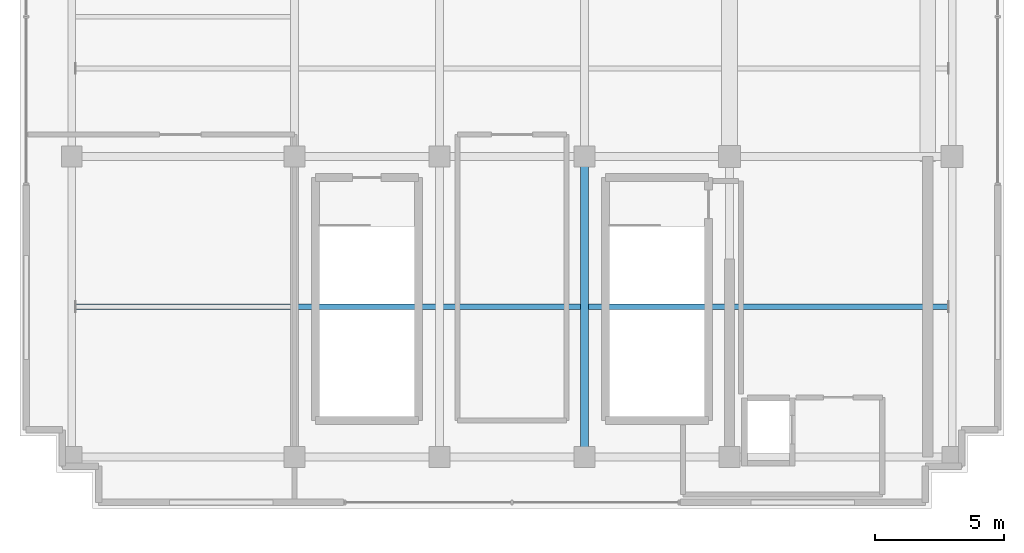
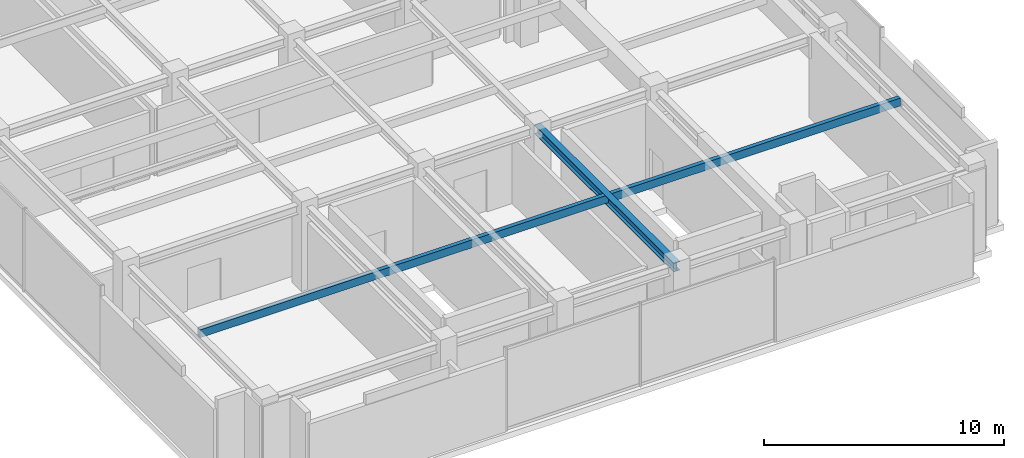
# One storey, part 5 of 21: 1 beam, 1 member.
"""IFC4 building model written with IfcOpenShell, lengths in metres."""

import ifcopenshell
import ifcopenshell.guid

model = None  # the IFC model being written
_history = None  # IfcOwnerHistory: only IFC2X3 demands one
_inside = {}  # id of a spatial element -> (the spatial element, [elements in it])
_under = {}  # id of a project, library or spatial element -> (it, [spatial elements below it])
_declared = {}  # id of a project -> (the project, [libraries it declares])
_typed = {}  # id of a type object -> (the type object, [elements of that type])
_made_of = {}  # id of a material, layer set ... -> (it, [elements and type objects made of it])


def new_model(schema):
    """Start an empty IFC model of exactly this schema.

    Asked for "IFC4X3", IfcOpenShell would pick the latest addendum, in which some entities
    have other attributes; the version numbers below select the first issue.
    IFC2X3 requires an IfcOwnerHistory on every rooted entity: one is made here for all.
    """
    global model, _history
    if schema == "IFC4X3":
        model = ifcopenshell.file(schema_version=(4, 3, 0, 0))
    else:
        model = ifcopenshell.file(schema=schema)
    _inside.clear()
    _under.clear()
    _declared.clear()
    _typed.clear()
    _made_of.clear()
    _history = None
    if model.schema == "IFC2X3":
        org = make("IfcOrganization", Name="unknown")
        user = make(
            "IfcPersonAndOrganization",
            ThePerson=make("IfcPerson", FamilyName="unknown"),
            TheOrganization=org,
        )
        app = make(
            "IfcApplication",
            ApplicationDeveloper=org,
            Version="unknown",
            ApplicationFullName="unknown",
            ApplicationIdentifier="unknown",
        )
        _history = make(
            "IfcOwnerHistory",
            OwningUser=user,
            OwningApplication=app,
            ChangeAction="ADDED",
            CreationDate=0,
        )
    return model


def make(cls, **values):
    """One entity of the class cls with the attributes given. An attribute that is None is left unset."""
    return model.create_entity(
        cls, **{name: value for name, value in values.items() if value is not None}
    )


def rooted(cls, **values):
    """An entity with a GlobalId (a new one), such as an element, a storey or a relation."""
    return make(cls, GlobalId=ifcopenshell.guid.new(), OwnerHistory=_history, **values)


def si_unit(unit_type, name, prefix=None):
    """IfcSIUnit, for example si_unit("LENGTHUNIT", "METRE", prefix="MILLI")."""
    return make("IfcSIUnit", UnitType=unit_type, Prefix=prefix, Name=name)


def assignment(units):
    """IfcUnitAssignment: the units of a project."""
    return None if units is None else make("IfcUnitAssignment", Units=units)


def point(xyz):
    """IfcCartesianPoint."""
    return None if xyz is None else make("IfcCartesianPoint", Coordinates=xyz)


def direction(xyz):
    """IfcDirection."""
    return None if xyz is None else make("IfcDirection", DirectionRatios=xyz)


def frame(location, z_axis=None, x_axis=None):
    """IfcAxis2Placement3D, a coordinate frame: its origin and axes. An axis left out is left unset."""
    return make(
        "IfcAxis2Placement3D",
        Location=point(location),
        Axis=direction(z_axis),
        RefDirection=direction(x_axis),
    )


def frame_2d(location, x_axis=None):
    """IfcAxis2Placement2D, a coordinate frame in the plane: its origin and x axis."""
    return make(
        "IfcAxis2Placement2D", Location=point(location), RefDirection=direction(x_axis)
    )


def origin():
    """The frame at (0, 0, 0) with its axes left unset."""
    return frame((0.0, 0.0, 0.0))


def origin_2d():
    """The frame at (0, 0) in the plane with its x axis left unset."""
    return frame_2d((0.0, 0.0))


def place(relative_to, where):
    """IfcLocalPlacement: puts the frame where relative to a parent placement (None: the world)."""
    return make(
        "IfcLocalPlacement", PlacementRelTo=relative_to, RelativePlacement=where
    )


def context(
    kind, dimensions, precision=None, world=None, true_north=None, identifier=None
):
    """IfcGeometricRepresentationContext, for example the 3D "Model" context."""
    return make(
        "IfcGeometricRepresentationContext",
        ContextIdentifier=identifier,
        ContextType=kind,
        CoordinateSpaceDimension=dimensions,
        Precision=precision,
        WorldCoordinateSystem=world,
        TrueNorth=true_north,
    )


def subcontext(parent, identifier, kind, view, scale=None):
    """IfcGeometricRepresentationSubContext, for example "Body" below "Model"."""
    return make(
        "IfcGeometricRepresentationSubContext",
        ContextIdentifier=identifier,
        ContextType=kind,
        ParentContext=parent,
        TargetScale=scale,
        TargetView=view,
    )


def project(units=None, contexts=None):
    """IfcProject with its units and contexts."""
    return rooted(
        "IfcProject",
        Name="project",
        RepresentationContexts=contexts,
        UnitsInContext=assignment(units),
    )


def spatial(cls, under=None, at=None, **own):
    """A site, building, storey or space (cls), placed at a placement, below another one or the project."""
    s = rooted(cls, ObjectPlacement=at, **own)
    if under is not None:
        _under.setdefault(under.id(), (under, []))[1].append(s)
    return s


def profile(cls, at=None, kind="AREA", **sizes):
    """A parametric profile (cls). Its sizes go by their IFC names, for example OverallWidth=200.0."""
    return make(cls, ProfileType=kind, Position=at, **sizes)


def hollow_rectangle(**sizes):
    """IfcRectangleHollowProfileDef."""
    return profile("IfcRectangleHollowProfileDef", **sizes)


def i_section(**sizes):
    """IfcIShapeProfileDef."""
    return profile("IfcIShapeProfileDef", **sizes)


def extrude(swept, where, along, depth):
    """IfcExtrudedAreaSolid: the profile swept, set in the frame where, extruded along a direction by depth."""
    return make(
        "IfcExtrudedAreaSolid",
        SweptArea=swept,
        Position=where,
        ExtrudedDirection=direction(along),
        Depth=depth,
    )


def shape(context_of_items, identifier, shape_type, items):
    """IfcShapeRepresentation: the items that make up one representation, for example the "Body"."""
    return make(
        "IfcShapeRepresentation",
        ContextOfItems=context_of_items,
        RepresentationIdentifier=identifier,
        RepresentationType=shape_type,
        Items=items,
    )


def source(mapping_origin, context_of_items, identifier, shape_type, items):
    """IfcRepresentationMap: a shape defined once, which mapped items show again and again."""
    return make(
        "IfcRepresentationMap",
        MappingOrigin=mapping_origin,
        MappedRepresentation=shape(context_of_items, identifier, shape_type, items),
    )


def transform(
    local_origin,
    x_axis=None,
    y_axis=None,
    z_axis=None,
    scale=None,
    scale2=None,
    scale3=None,
    uniform=True,
):
    """IfcCartesianTransformationOperator3D, or its non-uniform kind. x_axis, y_axis, z_axis: its Axis1, 2, 3."""
    if uniform:
        return make(
            "IfcCartesianTransformationOperator3D",
            Axis1=direction(x_axis),
            Axis2=direction(y_axis),
            LocalOrigin=point(local_origin),
            Scale=scale,
            Axis3=direction(z_axis),
        )
    return make(
        "IfcCartesianTransformationOperator3DnonUniform",
        Axis1=direction(x_axis),
        Axis2=direction(y_axis),
        LocalOrigin=point(local_origin),
        Scale=scale,
        Axis3=direction(z_axis),
        Scale2=scale2,
        Scale3=scale3,
    )


def mapped(mapping_source, mapping_target):
    """IfcMappedItem: shows the shape of a source again, moved by a transform."""
    return make(
        "IfcMappedItem", MappingSource=mapping_source, MappingTarget=mapping_target
    )


def material(Name=None, Category=None):
    """IfcMaterial."""
    return make("IfcMaterial", Name=Name, Category=Category)


def material_profile(
    of_material, cross_section, Name=None, Category=None, Priority=None
):
    """IfcMaterialProfile: a cross section and its material."""
    return make(
        "IfcMaterialProfile",
        Name=Name,
        Material=of_material,
        Profile=cross_section,
        Priority=Priority,
        Category=Category,
    )


def profile_set(profiles, Name=None, composite=None):
    """IfcMaterialProfileSet."""
    return make(
        "IfcMaterialProfileSet",
        Name=Name,
        MaterialProfiles=profiles,
        CompositeProfile=composite,
    )


def made_of(thing, what):
    """Note that an element or type object is made of a material, layer set ...; save() writes the relation."""
    if what is not None:
        _made_of.setdefault(what.id(), (what, []))[1].append(thing)
    return thing


def type_object(cls, material=None, **own):
    """A type object (cls), such as IfcWallType, which elements share."""
    return made_of(rooted(cls, **own), material)


def element(
    cls,
    number,
    at=None,
    inside=None,
    cuts=None,
    type_object=None,
    material=None,
    context=None,
    identifier="Body",
    shape_type=None,
    held_by="IfcProductDefinitionShape",
    body=None,
    shapes=None,
    **own,
):
    """One element of the class cls, such as IfcWall. Its Tag is "e" and its number.

    at: its placement. inside: the storey or other place that contains it. cuts: it is an
    opening in that element (IfcRelVoidsElement). A single representation is given by context,
    identifier, shape_type and body (its items); several are given by shapes. held_by: the class
    of the entity that holds the representations. save() writes the other relations.
    """
    e = rooted(cls, Tag="e%d" % number, ObjectPlacement=at, **own)
    if body is not None:
        shapes = [shape(context, identifier, shape_type, body)]
    if shapes is not None:
        e.Representation = make(held_by, Representations=shapes)
    if inside is not None:
        _inside.setdefault(inside.id(), (inside, []))[1].append(e)
    if cuts is not None:
        rooted(
            "IfcRelVoidsElement", RelatingBuildingElement=cuts, RelatedOpeningElement=e
        )
    if type_object is not None:
        _typed.setdefault(type_object.id(), (type_object, []))[1].append(e)
    return made_of(e, material)


def aggregate(whole, parts):
    """IfcRelAggregates: a whole, such as a stair, and the parts it consists of."""
    return rooted("IfcRelAggregates", RelatingObject=whole, RelatedObjects=parts)


def save(model, path):
    """Write the relations noted so far, then the file.

    IfcRelAggregates (storeys below a building ...), IfcRelContainedInSpatialStructure (elements
    in a storey), IfcRelDefinesByType, IfcRelAssociatesMaterial and IfcRelDeclares: one each for
    every whole, place, type object, material and project.
    """
    for whole, parts in _under.values():
        aggregate(whole, parts)
    for where, things in _inside.values():
        rooted(
            "IfcRelContainedInSpatialStructure",
            RelatedElements=things,
            RelatingStructure=where,
        )
    for kind, things in _typed.values():
        rooted("IfcRelDefinesByType", RelatedObjects=things, RelatingType=kind)
    for what, things in _made_of.values():
        rooted("IfcRelAssociatesMaterial", RelatedObjects=things, RelatingMaterial=what)
    for by, libraries in _declared.values():
        rooted("IfcRelDeclares", RelatingContext=by, RelatedDefinitions=libraries)
    model.write(path)


model = new_model("IFC4")

# Units and contexts
model_context = context("Model", 3, precision=1e-05, world=origin(), true_north=direction((0.0, 1.0)))
body_context = subcontext(model_context, "Body", "Model", "MODEL_VIEW")
ifc_project = project(units=[si_unit("LENGTHUNIT", "METRE"), si_unit("AREAUNIT", "SQUARE_METRE"), si_unit("VOLUMEUNIT", "CUBIC_METRE"), si_unit("PLANEANGLEUNIT", "RADIAN"), si_unit("MASSUNIT", "GRAM", prefix="KILO")], contexts=[model_context])

# Site, building, storey
site_placement = place(None, origin())
site = spatial("IfcSite", under=ifc_project, at=site_placement, CompositionType="ELEMENT")
building_placement = place(site_placement, origin())
building = spatial("IfcBuilding", under=site, at=building_placement, Name="Nahalor Promenade Grand Hotel", CompositionType="ELEMENT")
storey_placement = place(building_placement, frame((0.0, 0.0, 370.85009765625)))
storey = spatial("IfcBuildingStorey", under=building, at=storey_placement, Name="L94", CompositionType="ELEMENT", Elevation=370.85009765625)

# Beam
ifc_material = material(Name="Steel S355JR", Category="steel")
ifc_material_profile_1 = material_profile(ifc_material, i_section(OverallWidth=0.3, OverallDepth=0.45, WebThickness=0.014, FlangeThickness=0.026, at=origin_2d()), Name="HEB 450")
ifc_profile_set_1 = profile_set([ifc_material_profile_1], Name="Steel S355JR")
beam_type = type_object("IfcBeamType", Name="Beam-Girder-HEB450", PredefinedType="BEAM", material=ifc_profile_set_1)
shared_shape_1 = source(origin(), body_context, "Body", "SweptSolid", [
    extrude(i_section(OverallWidth=0.3, OverallDepth=0.45, WebThickness=0.014, FlangeThickness=0.026, at=origin_2d()), origin(), (0.0, 0.0, 1.0), 11.60009765625),
])
beam_placement = place(storey_placement, frame((2.800048828125, -17.0, 3.994873046875), z_axis=(0.0, 1.0, 0.0), x_axis=(-1.0, 0.0, 0.0)))
element("IfcBeam", 1, at=beam_placement, inside=storey, type_object=beam_type, Name="BM-L94-GY-3-0", PredefinedType="BEAM", context=body_context, shape_type="MappedRepresentation", body=[
    mapped(shared_shape_1, transform((0.0, 0.0, 0.0), scale=1.0)),
])

# Member
ifc_material_profile_2 = material_profile(ifc_material, hollow_rectangle(XDim=0.2, YDim=0.4, WallThickness=0.016, at=origin_2d()), Name="RHS 400x200x16")
ifc_profile_set_2 = profile_set([ifc_material_profile_2], Name="Steel S355JR")
member_type = type_object("IfcMemberType", Name="Mem-CanopyPurlin-RHS400", PredefinedType="PURLIN", material=ifc_profile_set_2)
shared_shape_2 = source(origin(), body_context, "Body", "SweptSolid", [
    extrude(hollow_rectangle(XDim=0.2, YDim=0.4, WallThickness=0.016, at=origin_2d()), origin(), (0.0, 0.0, 1.0), 33.7001953125),
])
member_placement = place(storey_placement, frame((-16.85009765625, -11.199951171875, 4.0), z_axis=(1.0, 0.0, 0.0), x_axis=(0.0, 1.0, 0.0)))
element("IfcMember", 2, at=member_placement, inside=storey, type_object=member_type, Name="RF-PURL-A0", PredefinedType="PURLIN", context=body_context, shape_type="MappedRepresentation", body=[
    mapped(shared_shape_2, transform((0.0, 0.0, 0.0), scale=1.0)),
])

save(model, "model.ifc")
